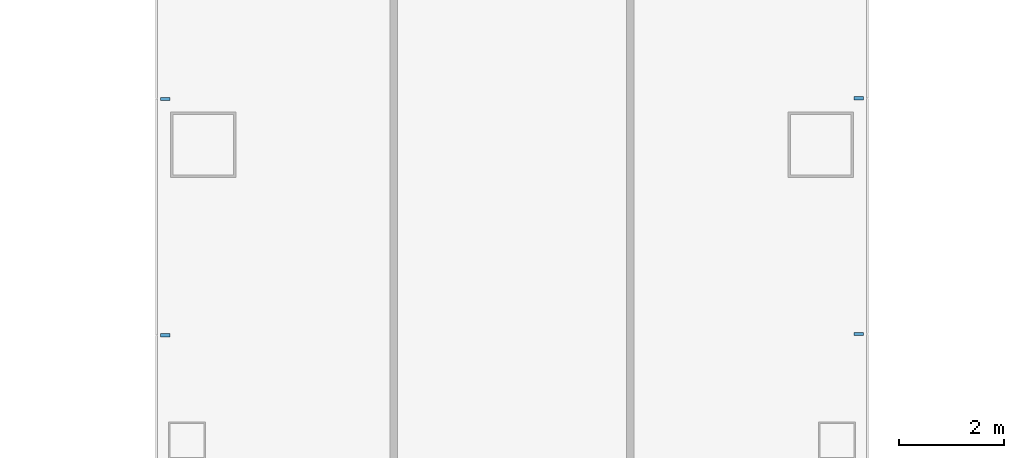
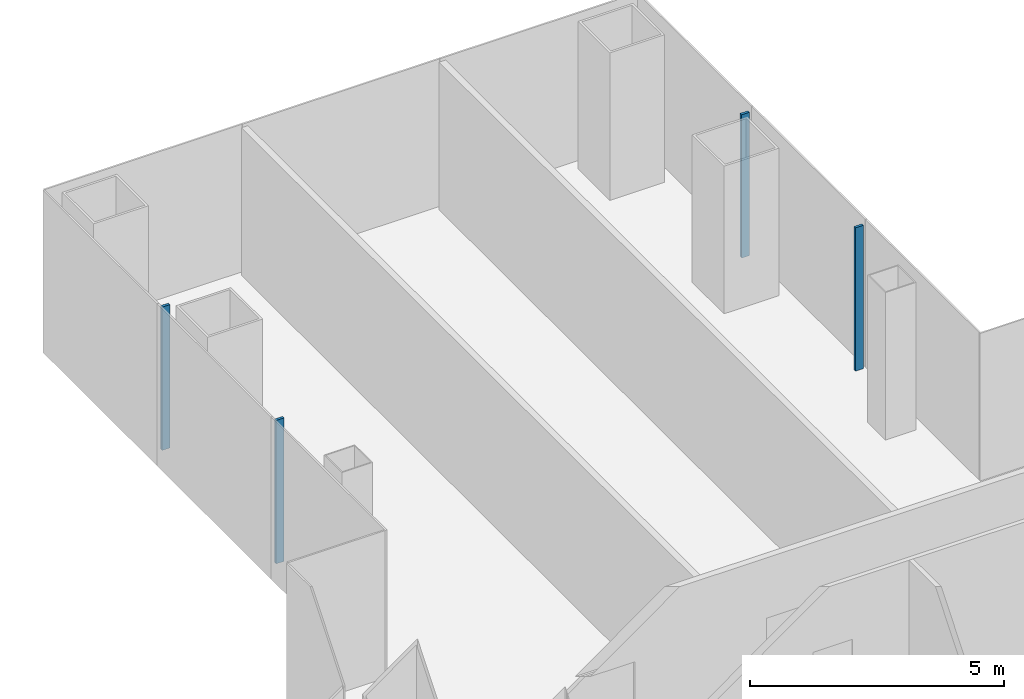
# One storey, part 8 of 18: 4 members, 2 elements without a shape of their own.
"""IFC4 building model written with IfcOpenShell, lengths in metres."""

from ifc_helpers import new_model, si_unit, direction, frame, origin, origin_2d, place, context, subcontext, project, spatial, rectangle, extrude, material, layer, layer_set, material_profile, profile_set, type_object, element, aggregate, save


model = new_model("IFC4")

# Units and contexts
model_context = context("Model", 3, precision=1e-05, world=origin(), true_north=direction((0.0, 1.0)))
body_context = subcontext(model_context, "Body", "Model", "MODEL_VIEW")
ifc_project = project(units=[si_unit("LENGTHUNIT", "METRE"), si_unit("AREAUNIT", "SQUARE_METRE"), si_unit("VOLUMEUNIT", "CUBIC_METRE"), si_unit("PLANEANGLEUNIT", "RADIAN"), si_unit("MASSUNIT", "GRAM", prefix="KILO")], contexts=[model_context])

# Site, building, storey
site_placement = place(None, origin())
site = spatial("IfcSite", under=ifc_project, at=site_placement, CompositionType="ELEMENT")
building_placement = place(site_placement, origin())
building = spatial("IfcBuilding", under=site, at=building_placement, Name="Shamsa Quay Exchange Towers", CompositionType="ELEMENT")
storey_placement = place(building_placement, frame((0.0, 0.0, 113.10009765625)))
storey = spatial("IfcBuildingStorey", under=building, at=storey_placement, Name="L26", CompositionType="ELEMENT", Elevation=113.10009765625)

# Curtain wall, members
ifc_material = material(Name="Aluminium EN AW-6063 T6, black anodised", Category="aluminium")
ifc_layer = layer(ifc_material, 0.280029296875)
ifc_layer_set = layer_set([ifc_layer], Name="CW-1 UNITISED VISION GLASS")
curtain_wall_type = type_object("IfcCurtainWallType", Name="CW-1 UNITISED VISION GLASS", PredefinedType="NOTDEFINED", material=ifc_layer_set)
curtain_wall_1_placement = place(storey_placement, origin())
curtain_wall_1 = element("IfcCurtainWall", 1, at=curtain_wall_1_placement, inside=storey, type_object=curtain_wall_type, Name="CW1 T2-FLK-U+S L26", PredefinedType="NOTDEFINED")
ifc_material_profile = material_profile(ifc_material, rectangle(XDim=0.179931640625, YDim=0.06005859375, at=origin_2d()), Name="MU60x180")
ifc_profile_set = profile_set([ifc_material_profile], Name="Aluminium EN AW-6063 T6, black anodised")
member_type = type_object("IfcMemberType", Name="CW1 MULLION 60x180", PredefinedType="MULLION", material=ifc_profile_set)
member_1_placement = place(storey_placement, frame((40.35009765625, 15.775390625, 0.0), z_axis=(0.0, 0.0, 1.0), x_axis=(-1.0, 0.0, 0.0)))
member_1 = element("IfcMember", 2, at=member_1_placement, type_object=member_type, Name="CW1 mullion", PredefinedType="MULLION", context=body_context, shape_type="SweptSolid", body=[
    extrude(rectangle(XDim=0.179931640625, YDim=0.06005859375, at=origin_2d()), origin(), (0.0, 0.0, 1.0), 3.449951171875),
])
member_2_placement = place(storey_placement, frame((40.35009765625, 20.2626953125, 0.0), z_axis=(0.0, 0.0, 1.0), x_axis=(-1.0, 0.0, 0.0)))
member_2 = element("IfcMember", 3, at=member_2_placement, type_object=member_type, Name="CW1 mullion", PredefinedType="MULLION", context=body_context, shape_type="SweptSolid", body=[
    extrude(rectangle(XDim=0.179931640625, YDim=0.06005859375, at=origin_2d()), origin(), (0.0, 0.0, 1.0), 3.449951171875),
])
aggregate(curtain_wall_1, [member_1, member_2])

curtain_wall_2_placement = place(storey_placement, origin())
curtain_wall_2 = element("IfcCurtainWall", 4, at=curtain_wall_2_placement, inside=storey, type_object=curtain_wall_type, Name="CW1 T2-FLK-U+N L26", PredefinedType="NOTDEFINED")
member_3_placement = place(storey_placement, frame((27.14990234375, 20.25, 0.0)))
member_3 = element("IfcMember", 5, at=member_3_placement, type_object=member_type, Name="CW1 mullion", PredefinedType="MULLION", context=body_context, shape_type="SweptSolid", body=[
    extrude(rectangle(XDim=0.179931640625, YDim=0.06005859375, at=origin_2d()), origin(), (0.0, 0.0, 1.0), 3.449951171875),
])
member_4_placement = place(storey_placement, frame((27.14990234375, 15.75, 0.0)))
member_4 = element("IfcMember", 6, at=member_4_placement, type_object=member_type, Name="CW1 mullion", PredefinedType="MULLION", context=body_context, shape_type="SweptSolid", body=[
    extrude(rectangle(XDim=0.179931640625, YDim=0.06005859375, at=origin_2d()), origin(), (0.0, 0.0, 1.0), 3.449951171875),
])
aggregate(curtain_wall_2, [member_3, member_4])

save(model, "model.ifc")
